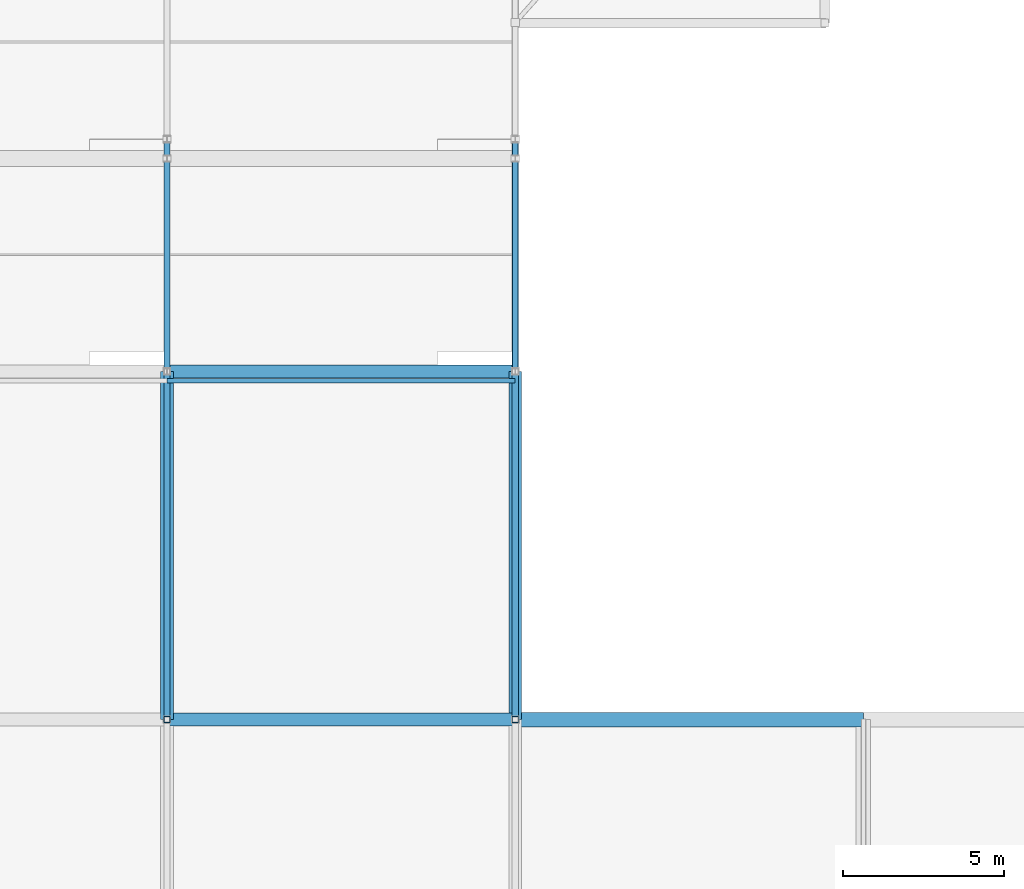
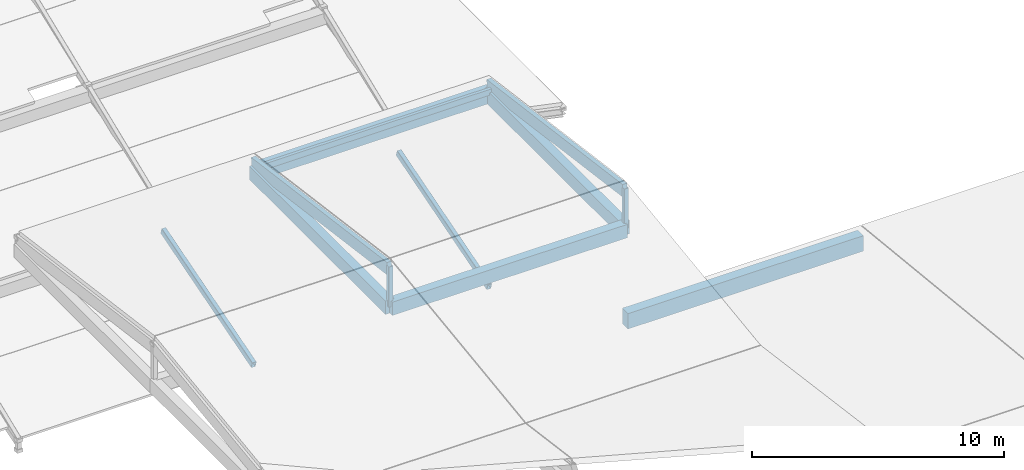
# One storey, part 58 of 112: 7 members, 5 beams.
"""IFC4 building model written with IfcOpenShell, lengths in metres."""

from ifc_helpers import new_model, si_unit, direction, frame, origin, origin_2d, place, context, subcontext, project, spatial, rectangle, hollow_rectangle, extrude, material, material_profile, profile_set, type_object, element, save


model = new_model("IFC4")

# Units and contexts
model_context = context("Model", 3, precision=1e-05, world=origin(), true_north=direction((0.0, 1.0)))
body_context = subcontext(model_context, "Body", "Model", "MODEL_VIEW")
ifc_project = project(units=[si_unit("LENGTHUNIT", "METRE"), si_unit("AREAUNIT", "SQUARE_METRE"), si_unit("VOLUMEUNIT", "CUBIC_METRE"), si_unit("PLANEANGLEUNIT", "RADIAN"), si_unit("MASSUNIT", "GRAM", prefix="KILO")], contexts=[model_context])

# Site, building, storey
site_placement = place(None, origin())
site = spatial("IfcSite", under=ifc_project, at=site_placement, CompositionType="ELEMENT")
building_placement = place(site_placement, origin())
building = spatial("IfcBuilding", under=site, at=building_placement, Name="Zwinboog Wholesale Market", CompositionType="ELEMENT")
storey_placement = place(building_placement, frame((0.0, 0.0, 19.080078125)))
storey = spatial("IfcBuildingStorey", under=building, at=storey_placement, Name="Roof", CompositionType="ELEMENT", Elevation=19.080078125)

# Beams
ifc_material_1 = material(Name="Precast concrete C45/55", Category="concrete")
ifc_material_profile_1 = material_profile(ifc_material_1, rectangle(XDim=0.449951171875, YDim=0.75, at=origin_2d()), Name="PC 450x750")
ifc_profile_set_1 = profile_set([ifc_material_profile_1], Name="Precast concrete C45/55")
beam_type_1 = type_object("IfcBeamType", Name="BT-04", PredefinedType="BEAM", material=ifc_profile_set_1)
beam_placement = place(storey_placement, frame((172.800048828125, 32.39990234375, -4.695068359375), z_axis=(1.0, 0.0, 0.0), x_axis=(0.0, 1.0, 0.0)))
element("IfcBeam", 1, at=beam_placement, inside=storey, type_object=beam_type_1, Name="BG-04 (BMG-Roof-1728-0324-1262)", PredefinedType="BEAM", context=body_context, shape_type="SweptSolid", body=[
    extrude(rectangle(XDim=0.449951171875, YDim=0.75, at=origin_2d()), origin(), (0.0, 0.0, 1.0), 10.800048828125),
])
ifc_material_profile_2 = material_profile(ifc_material_1, rectangle(XDim=0.39990234375, YDim=0.64990234375, at=origin_2d()), Name="PC 400x650")
ifc_profile_set_2 = profile_set([ifc_material_profile_2], Name="Precast concrete C45/55")
beam_type_2 = type_object("IfcBeamType", Name="BT-05", PredefinedType="BEAM", material=ifc_profile_set_2)
for number, where, z_axis, x_axis, name in (
    (2, (162.0, 32.39990234375, -0.3251953125), (1.0, 0.0, 0.0), (0.0, 1.0, 0.0), "BG-05 (BMG-Roof-1620-0324-1301)"),
    (3, (162.0, 43.199951171875, -0.3251953125), (1.0, 0.0, 0.0), (0.0, 1.0, 0.0), "BG-05 (BMG-Roof-1620-0432-1302)"),
    (4, (162.0, 32.39990234375, -0.3251953125), (0.0, 1.0, 0.0), (-1.0, 0.0, 0.0), "BG-05 (BMG-Roof-1620-0324-1314)"),
    (5, (172.800048828125, 32.39990234375, -0.3251953125), (0.0, 1.0, 0.0), (-1.0, 0.0, 0.0), "BG-05 (BMG-Roof-1728-0324-1318)"),
):
    element("IfcBeam", number, at=place(storey_placement, frame(where, z_axis=z_axis, x_axis=x_axis)), inside=storey, type_object=beam_type_2, Name=name, PredefinedType="BEAM", context=body_context, shape_type="SweptSolid", body=[
        extrude(rectangle(XDim=0.39990234375, YDim=0.64990234375, at=origin_2d()), origin(), (0.0, 0.0, 1.0), 10.800048828125),
    ])

# Members
ifc_material_2 = material(Name="Steel S355", Category="steel")
ifc_material_profile_3 = material_profile(ifc_material_2, hollow_rectangle(XDim=0.199951171875, YDim=0.300048828125, WallThickness=0.012451171875, InnerFilletRadius=0.012451171875, OuterFilletRadius=0.02490234375, at=origin_2d()), Name="RHS 300x200x12.5")
ifc_profile_set_3 = profile_set([ifc_material_profile_3], Name="Steel S355")
member_type_1 = type_object("IfcMemberType", Name="MT-01", PredefinedType="CHORD", material=ifc_profile_set_3)
for number, where, z_axis, x_axis, name in (
    (6, (162.0, 43.199951171875, -9.7001953125), (0.0, 0.958185911438, 0.286146394562), (-1.0, 0.0, 0.0), "DC-01 (MEM-Roof-0274)"),
    (7, (172.800048828125, 43.199951171875, -9.7001953125), (0.0, 0.958185911438, 0.286146394562), (-1.0, 0.0, 0.0), "DC-01 (MEM-Roof-0304)"),
):
    element("IfcMember", number, at=place(storey_placement, frame(where, z_axis=z_axis, x_axis=x_axis)), inside=storey, type_object=member_type_1, Name=name, PredefinedType="CHORD", context=body_context, shape_type="SweptSolid", body=[
        extrude(hollow_rectangle(XDim=0.199951171875, YDim=0.300048828125, WallThickness=0.012451171875, InnerFilletRadius=0.012451171875, OuterFilletRadius=0.02490234375, at=origin_2d()), origin(), (0.0, 0.0, 1.0), 7.51416015625),
    ])
ifc_material_profile_4 = material_profile(ifc_material_2, hollow_rectangle(XDim=0.199951171875, YDim=0.199951171875, WallThickness=0.010009765625, InnerFilletRadius=0.010009765625, OuterFilletRadius=0.02001953125, at=origin_2d()), Name="SHS 200x200x10")
ifc_profile_set_4 = profile_set([ifc_material_profile_4], Name="Steel S355")
member_type_2 = type_object("IfcMemberType", Name="MT-04", PredefinedType="BRACE", material=ifc_profile_set_4)
for number, where, z_axis, x_axis, name in (
    (8, (162.0, 32.39990234375, -0.280029296875), (0.0, 0.0, 1.0), (1.0, 0.0, 0.0), "DB-01 (MEM-Roof-0934)"),
    (9, (172.800048828125, 32.39990234375, -0.280029296875), (0.0, 0.0, 1.0), (1.0, 0.0, 0.0), "DB-01 (MEM-Roof-0938)"),
):
    element("IfcMember", number, at=place(storey_placement, frame(where, z_axis=z_axis, x_axis=x_axis)), inside=storey, type_object=member_type_2, Name=name, PredefinedType="BRACE", context=body_context, shape_type="SweptSolid", body=[
        extrude(hollow_rectangle(XDim=0.199951171875, YDim=0.199951171875, WallThickness=0.010009765625, InnerFilletRadius=0.010009765625, OuterFilletRadius=0.02001953125, at=origin_2d()), origin(), (0.0, 0.0, 1.0), 1.949951171875),
    ])
ifc_material_3 = material(Name="Glulam GL28h", Category="wood")
ifc_material_profile_5 = material_profile(ifc_material_3, rectangle(XDim=0.199951171875, YDim=0.60009765625, at=origin_2d()), Name="GL28h 200x600")
ifc_profile_set_5 = profile_set([ifc_material_profile_5], Name="Glulam GL28h")
member_type_3 = type_object("IfcMemberType", Name="MT-11", PredefinedType="RAFTER", material=ifc_profile_set_5)
for number, where, z_axis, x_axis, name in (
    (10, (162.0, 32.39990234375, 1.52001953125), (0.0, 0.99110498434, -0.133082342993), (-1.0, 0.0, 0.0), "GR-03 (MEM-Roof-0936)"),
    (11, (172.800048828125, 32.39990234375, 1.52001953125), (0.0, 0.99110498434, -0.133082342993), (-1.0, 0.0, 0.0), "GR-03 (MEM-Roof-0940)"),
):
    element("IfcMember", number, at=place(storey_placement, frame(where, z_axis=z_axis, x_axis=x_axis)), inside=storey, type_object=member_type_3, Name=name, PredefinedType="RAFTER", context=body_context, shape_type="SweptSolid", body=[
        extrude(rectangle(XDim=0.199951171875, YDim=0.60009765625, at=origin_2d()), origin(), (0.0, 0.0, 1.0), 10.89697265625),
    ])
ifc_material_profile_6 = material_profile(ifc_material_3, rectangle(XDim=0.139892578125, YDim=0.280029296875, at=origin_2d()), Name="GL28h 140x280")
ifc_profile_set_6 = profile_set([ifc_material_profile_6], Name="Glulam GL28h")
member_type_4 = type_object("IfcMemberType", Name="MT-13", PredefinedType="PURLIN", material=ifc_profile_set_6)
member_placement = place(storey_placement, frame((162.0, 42.89990234375, 0.02001953125), z_axis=(1.0, 0.0, 0.0), x_axis=(0.0, 1.0, 0.0)))
element("IfcMember", 12, at=member_placement, inside=storey, type_object=member_type_4, Name="GP-02 (MEM-PRL-Roof-0054)", PredefinedType="PURLIN", context=body_context, shape_type="SweptSolid", body=[
    extrude(rectangle(XDim=0.139892578125, YDim=0.280029296875, at=origin_2d()), origin(), (0.0, 0.0, 1.0), 10.800048828125),
])

save(model, "model.ifc")
